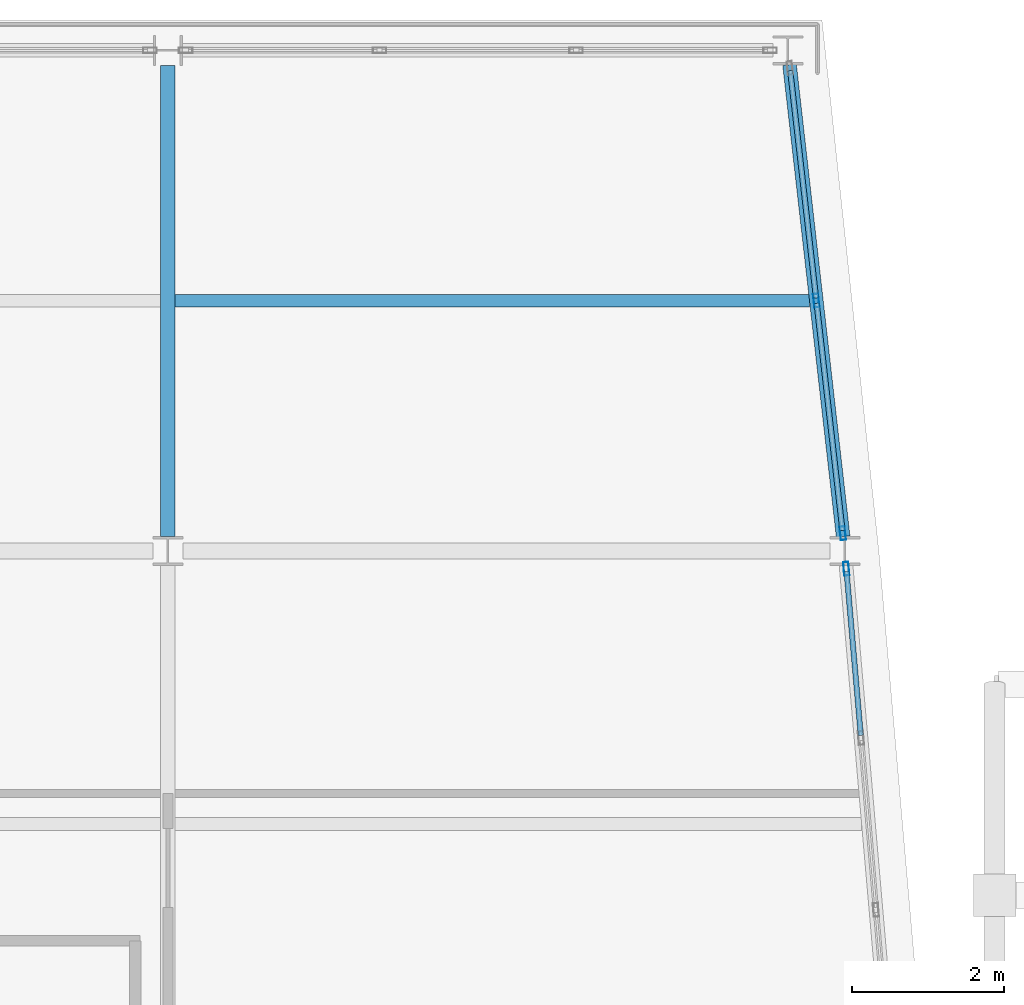
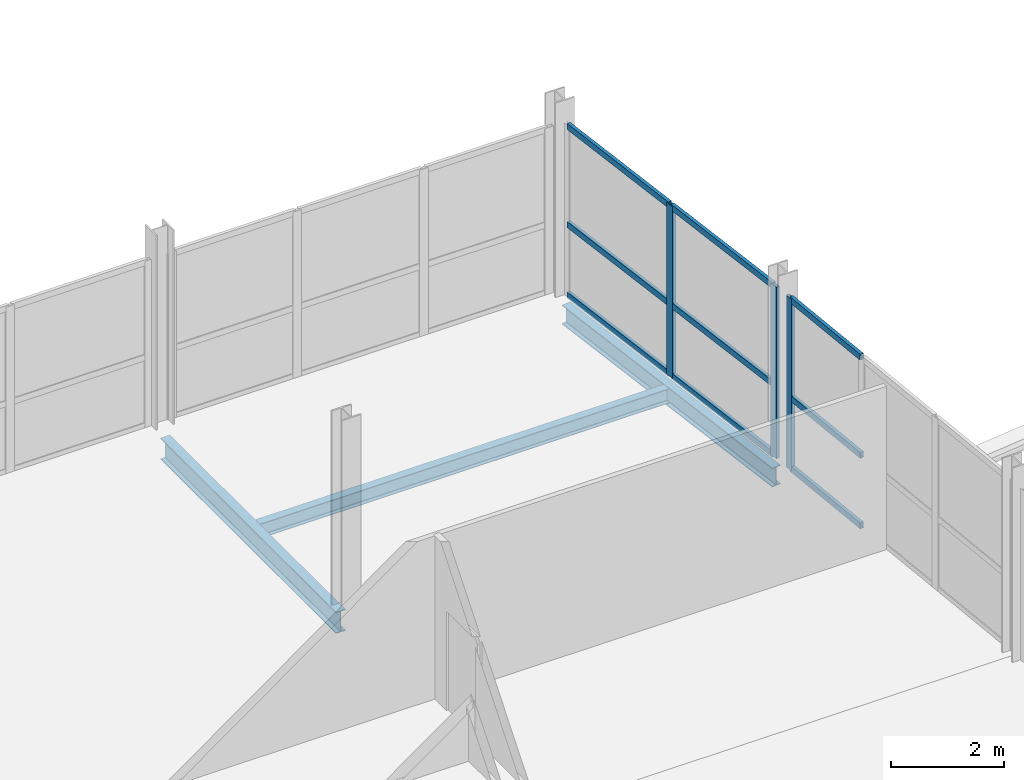
# One storey, part 13 of 36: 12 members, 3 beams, 2 elements without a shape of their own.
"""IFC4 building model written with IfcOpenShell, lengths in metres."""

from ifc_helpers import new_model, si_unit, direction, frame, origin, origin_2d, place, context, subcontext, project, spatial, hollow_rectangle, i_section, extrude, material, layer, layer_set, material_profile, profile_set, type_object, element, aggregate, save


model = new_model("IFC4")

# Units and contexts
model_context = context("Model", 3, precision=1e-05, world=origin(), true_north=direction((0.0, 1.0)))
body_context = subcontext(model_context, "Body", "Model", "MODEL_VIEW")
ifc_project = project(units=[si_unit("LENGTHUNIT", "METRE"), si_unit("AREAUNIT", "SQUARE_METRE"), si_unit("VOLUMEUNIT", "CUBIC_METRE"), si_unit("PLANEANGLEUNIT", "RADIAN"), si_unit("MASSUNIT", "GRAM", prefix="KILO")], contexts=[model_context])

# Site, building, storey
site_placement = place(None, origin())
site = spatial("IfcSite", under=ifc_project, at=site_placement, CompositionType="ELEMENT")
building_placement = place(site_placement, origin())
building = spatial("IfcBuilding", under=site, at=building_placement, Name="Quillay Park Conservatory", CompositionType="ELEMENT")
storey_placement = place(building_placement, frame((0.0, 0.0, 18.300048828125)))
storey = spatial("IfcBuildingStorey", under=building, at=storey_placement, Name="L04", CompositionType="ELEMENT", Elevation=18.300048828125)

# Beam
ifc_material_1 = material(Name="Steel ASTM A992 Grade 50", Category="steel")
ifc_material_profile_1 = material_profile(ifc_material_1, i_section(OverallWidth=0.166015625, OverallDepth=0.31298828125, WebThickness=0.006591796875, FlangeThickness=0.01123046875, FilletRadius=0.010009765625, at=origin_2d()), Name="W310x45")
ifc_profile_set_1 = profile_set([ifc_material_profile_1], Name="Steel ASTM A992 Grade 50")
beam_type_1 = type_object("IfcBeamType", Name="COMPOSITE FLOOR JOIST W310 X45", PredefinedType="JOIST", material=ifc_profile_set_1)
beam_1_placement = place(storey_placement, frame((19.845947265625, 110.10009765625, -0.3564453125), z_axis=(1.0, 0.0, 0.0), x_axis=(0.0, 1.0, 0.0)))
element("IfcBeam", 1, at=beam_1_placement, inside=storey, type_object=beam_type_1, Name="L04 beam BM-J-0378", PredefinedType="JOIST", context=body_context, shape_type="SweptSolid", body=[
    extrude(i_section(OverallWidth=0.166015625, OverallDepth=0.31298828125, WebThickness=0.006591796875, FlangeThickness=0.01123046875, FilletRadius=0.010009765625, at=origin_2d()), origin(), (0.0, 0.0, 1.0), 8.364013671875),
])

# Curtain wall, member
ifc_material_2 = material(Name="Thermally Broken Anodised Aluminium 6063-T6", Category="aluminium")
ifc_layer = layer(ifc_material_2, 0.179931640625)
ifc_layer_set = layer_set([ifc_layer], Name="UNITISED CURTAIN WALL TOWER (Thermally Broken Anodised Aluminium 6063-T6)")
curtain_wall_type = type_object("IfcCurtainWallType", Name="UNITISED CURTAIN WALL TOWER", PredefinedType="USERDEFINED", material=ifc_layer_set)
curtain_wall_1_placement = place(storey_placement, origin())
curtain_wall_1 = element("IfcCurtainWall", 2, at=curtain_wall_1_placement, inside=storey, type_object=curtain_wall_type, Name="L04 Unitised Curtain Wall 043", ObjectType="UNITISED CURTAIN WALL", PredefinedType="USERDEFINED")
ifc_material_3 = material(Name="Thermally Broken Anodised Aluminium 6063-T6", Category="aluminium")
ifc_material_profile_2 = material_profile(ifc_material_3, hollow_rectangle(XDim=0.070068359375, YDim=0.179931640625, WallThickness=0.00390625, at=origin_2d()), Name="AL70x180x4")
ifc_profile_set_2 = profile_set([ifc_material_profile_2], Name="Thermally Broken Anodised Aluminium 6063-T6")
member_type_1 = type_object("IfcMemberType", Name="CURTAIN WALL MULLION 70 X180", PredefinedType="MULLION", material=ifc_profile_set_2)
member_1_placement = place(storey_placement, frame((28.6953125, 106.56591796875, 0.0), z_axis=(0.0, 0.0, 1.0), x_axis=(0.996253548413, 0.086480444465, 0.0)))
member_1 = element("IfcMember", 3, at=member_1_placement, type_object=member_type_1, Name="CW-T1 mullion 1", PredefinedType="MULLION", context=body_context, shape_type="SweptSolid", body=[
    extrude(hollow_rectangle(XDim=0.070068359375, YDim=0.179931640625, WallThickness=0.00390625, at=origin_2d()), origin(), (0.0, 0.0, 1.0), 3.7119140625),
])

# Curtain wall, members
curtain_wall_2_placement = place(storey_placement, origin())
curtain_wall_2 = element("IfcCurtainWall", 4, at=curtain_wall_2_placement, inside=storey, type_object=curtain_wall_type, Name="L04 Unitised Curtain Wall 044", ObjectType="UNITISED CURTAIN WALL", PredefinedType="USERDEFINED")
member_2_placement = place(storey_placement, frame((28.300048828125, 110.10009765625, 0.0), z_axis=(0.0, 0.0, 1.0), x_axis=(0.993605989969, 0.112903218278, 0.0)))
member_2 = element("IfcMember", 5, at=member_2_placement, type_object=member_type_1, Name="CW-T1 mullion 2", PredefinedType="MULLION", context=body_context, shape_type="SweptSolid", body=[
    extrude(hollow_rectangle(XDim=0.070068359375, YDim=0.179931640625, WallThickness=0.00390625, at=origin_2d()), origin(), (0.0, 0.0, 1.0), 3.7119140625),
])
member_3_placement = place(storey_placement, frame((28.6484375, 107.033447265625, 0.0), z_axis=(0.0, 0.0, 1.0), x_axis=(0.993605989969, 0.112903218278, 0.0)))
member_3 = element("IfcMember", 6, at=member_3_placement, type_object=member_type_1, Name="CW-T1 mullion 3", PredefinedType="MULLION", context=body_context, shape_type="SweptSolid", body=[
    extrude(hollow_rectangle(XDim=0.070068359375, YDim=0.179931640625, WallThickness=0.00390625, at=origin_2d()), origin(), (0.0, 0.0, 1.0), 3.7119140625),
])

# Member
ifc_material_4 = material(Name="Thermally Broken Anodised Aluminium 6063-T6", Category="aluminium")
ifc_material_profile_3 = material_profile(ifc_material_4, hollow_rectangle(XDim=0.070068359375, YDim=0.1298828125, WallThickness=0.003173828125, at=origin_2d()), Name="AL70x130x3.2")
ifc_profile_set_3 = profile_set([ifc_material_profile_3], Name="Thermally Broken Anodised Aluminium 6063-T6")
member_type_2 = type_object("IfcMemberType", Name="CURTAIN WALL TRANSOM 70 X130", PredefinedType="USERDEFINED", material=ifc_profile_set_3)
member_4_placement = place(storey_placement, frame((28.6982421875, 106.531005859375, 0.034912109375), z_axis=(0.086488870651, -0.996252816936, 0.0), x_axis=(0.996252816936, 0.086488870651, 0.0)))
member_4 = element("IfcMember", 7, at=member_4_placement, type_object=member_type_2, Name="CW-T1 transom 1.1", ObjectType="TRANSOM", PredefinedType="USERDEFINED", context=body_context, shape_type="SweptSolid", body=[
    extrude(hollow_rectangle(XDim=0.070068359375, YDim=0.1298828125, WallThickness=0.003173828125, at=origin_2d()), origin(), (0.0, 0.0, 1.0), 2.170654296875),
])

member_5_placement = place(storey_placement, frame((28.6982421875, 106.531005859375, 1.558837890625), z_axis=(0.086488870651, -0.996252816936, 0.0), x_axis=(0.996252816936, 0.086488870651, 0.0)))
member_5 = element("IfcMember", 8, at=member_5_placement, type_object=member_type_2, Name="CW-T1 transom 1.2", ObjectType="TRANSOM", PredefinedType="USERDEFINED", context=body_context, shape_type="SweptSolid", body=[
    extrude(hollow_rectangle(XDim=0.070068359375, YDim=0.1298828125, WallThickness=0.003173828125, at=origin_2d()), origin(), (0.0, 0.0, 1.0), 2.170654296875),
])

member_6_placement = place(storey_placement, frame((28.6982421875, 106.531005859375, 3.677001953125), z_axis=(0.086488870651, -0.996252816936, 0.0), x_axis=(0.996252816936, 0.086488870651, 0.0)))
member_6 = element("IfcMember", 9, at=member_6_placement, type_object=member_type_2, Name="CW-T1 transom 1.3", ObjectType="TRANSOM", PredefinedType="USERDEFINED", context=body_context, shape_type="SweptSolid", body=[
    extrude(hollow_rectangle(XDim=0.070068359375, YDim=0.1298828125, WallThickness=0.003173828125, at=origin_2d()), origin(), (0.0, 0.0, 1.0), 2.170654296875),
])

aggregate(curtain_wall_1, [member_1, member_4, member_5, member_6])

member_7_placement = place(storey_placement, frame((27.95556640625, 113.1318359375, 0.034912109375), z_axis=(0.112909688044, -0.99360525479, 0.0), x_axis=(0.99360525479, 0.112909688044, 0.0)))
member_7 = element("IfcMember", 10, at=member_7_placement, type_object=member_type_2, Name="CW-T1 transom 1.1", ObjectType="TRANSOM", PredefinedType="USERDEFINED", context=body_context, shape_type="SweptSolid", body=[
    extrude(hollow_rectangle(XDim=0.070068359375, YDim=0.1298828125, WallThickness=0.003173828125, at=origin_2d()), origin(), (0.0, 0.0, 1.0), 3.016357421875),
])

member_8_placement = place(storey_placement, frame((27.95556640625, 113.1318359375, 1.558837890625), z_axis=(0.112909688044, -0.99360525479, 0.0), x_axis=(0.99360525479, 0.112909688044, 0.0)))
member_8 = element("IfcMember", 11, at=member_8_placement, type_object=member_type_2, Name="CW-T1 transom 1.2", ObjectType="TRANSOM", PredefinedType="USERDEFINED", context=body_context, shape_type="SweptSolid", body=[
    extrude(hollow_rectangle(XDim=0.070068359375, YDim=0.1298828125, WallThickness=0.003173828125, at=origin_2d()), origin(), (0.0, 0.0, 1.0), 3.016357421875),
])

member_9_placement = place(storey_placement, frame((27.95556640625, 113.1318359375, 3.677001953125), z_axis=(0.112909688044, -0.99360525479, 0.0), x_axis=(0.99360525479, 0.112909688044, 0.0)))
member_9 = element("IfcMember", 12, at=member_9_placement, type_object=member_type_2, Name="CW-T1 transom 1.3", ObjectType="TRANSOM", PredefinedType="USERDEFINED", context=body_context, shape_type="SweptSolid", body=[
    extrude(hollow_rectangle(XDim=0.070068359375, YDim=0.1298828125, WallThickness=0.003173828125, at=origin_2d()), origin(), (0.0, 0.0, 1.0), 3.016357421875),
])

member_10_placement = place(storey_placement, frame((28.303955078125, 110.065185546875, 0.034912109375), z_axis=(0.112918769109, -0.993604222808, 0.0), x_axis=(0.993604222808, 0.112918769109, 0.0)))
member_10 = element("IfcMember", 13, at=member_10_placement, type_object=member_type_2, Name="CW-T1 transom 2.1", ObjectType="TRANSOM", PredefinedType="USERDEFINED", context=body_context, shape_type="SweptSolid", body=[
    extrude(hollow_rectangle(XDim=0.070068359375, YDim=0.1298828125, WallThickness=0.003173828125, at=origin_2d()), origin(), (0.0, 0.0, 1.0), 3.01611328125),
])

member_11_placement = place(storey_placement, frame((28.303955078125, 110.065185546875, 1.558837890625), z_axis=(0.112918769109, -0.993604222808, 0.0), x_axis=(0.993604222808, 0.112918769109, 0.0)))
member_11 = element("IfcMember", 14, at=member_11_placement, type_object=member_type_2, Name="CW-T1 transom 2.2", ObjectType="TRANSOM", PredefinedType="USERDEFINED", context=body_context, shape_type="SweptSolid", body=[
    extrude(hollow_rectangle(XDim=0.070068359375, YDim=0.1298828125, WallThickness=0.003173828125, at=origin_2d()), origin(), (0.0, 0.0, 1.0), 3.01611328125),
])

member_12_placement = place(storey_placement, frame((28.303955078125, 110.065185546875, 3.677001953125), z_axis=(0.112918769109, -0.993604222808, 0.0), x_axis=(0.993604222808, 0.112918769109, 0.0)))
member_12 = element("IfcMember", 15, at=member_12_placement, type_object=member_type_2, Name="CW-T1 transom 2.3", ObjectType="TRANSOM", PredefinedType="USERDEFINED", context=body_context, shape_type="SweptSolid", body=[
    extrude(hollow_rectangle(XDim=0.070068359375, YDim=0.1298828125, WallThickness=0.003173828125, at=origin_2d()), origin(), (0.0, 0.0, 1.0), 3.01611328125),
])

aggregate(curtain_wall_2, [member_2, member_3, member_7, member_8, member_9, member_10, member_11, member_12])

# Beams
ifc_material_5 = material(Name="Steel ASTM A992 Grade 50", Category="steel")
ifc_material_profile_4 = material_profile(ifc_material_5, i_section(OverallWidth=0.179931640625, OverallDepth=0.4130859375, WebThickness=0.009765625, FlangeThickness=0.01611328125, FilletRadius=0.011962890625, at=origin_2d()), Name="W410x74")
ifc_profile_set_4 = profile_set([ifc_material_profile_4], Name="Steel ASTM A992 Grade 50")
beam_type_2 = type_object("IfcBeamType", Name="PERIMETER SPANDREL BEAM W410 X74", PredefinedType="SPANDREL", material=ifc_profile_set_4)
beam_2_placement = place(storey_placement, frame((28.653564453125, 106.98876953125, -0.406494140625), z_axis=(-0.112900066082, 0.993606348147, 0.0), x_axis=(-0.993606348147, -0.112900066082, 0.0)))
element("IfcBeam", 16, at=beam_2_placement, inside=storey, type_object=beam_type_2, Name="L04 beam BM-SPE-0374", PredefinedType="SPANDREL", context=body_context, shape_type="SweptSolid", body=[
    extrude(i_section(OverallWidth=0.179931640625, OverallDepth=0.4130859375, WebThickness=0.009765625, FlangeThickness=0.01611328125, FilletRadius=0.011962890625, at=origin_2d()), origin(), (0.0, 0.0, 1.0), 6.262451171875),
])
ifc_material_6 = material(Name="Steel ASTM A992 Grade 50", Category="steel")
ifc_material_profile_5 = material_profile(ifc_material_6, i_section(OverallWidth=0.19189453125, OverallDepth=0.462890625, WebThickness=0.010498046875, FlangeThickness=0.017578125, FilletRadius=0.012939453125, at=origin_2d()), Name="W460x89")
ifc_profile_set_5 = profile_set([ifc_material_profile_5], Name="Steel ASTM A992 Grade 50")
beam_type_3 = type_object("IfcBeamType", Name="PRIMARY FLOOR GIRDER W460 X89", PredefinedType="BEAM", material=ifc_profile_set_5)
beam_3_placement = place(storey_placement, frame((19.75, 106.989990234375, -0.431640625), z_axis=(0.0, 1.0, 0.0), x_axis=(-1.0, 0.0, 0.0)))
element("IfcBeam", 17, at=beam_3_placement, inside=storey, type_object=beam_type_3, Name="L04 beam BM-GNS-0376", PredefinedType="BEAM", context=body_context, shape_type="SweptSolid", body=[
    extrude(i_section(OverallWidth=0.19189453125, OverallDepth=0.462890625, WebThickness=0.010498046875, FlangeThickness=0.017578125, FilletRadius=0.012939453125, at=origin_2d()), origin(), (0.0, 0.0, 1.0), 6.21240234375),
])

save(model, "model.ifc")
